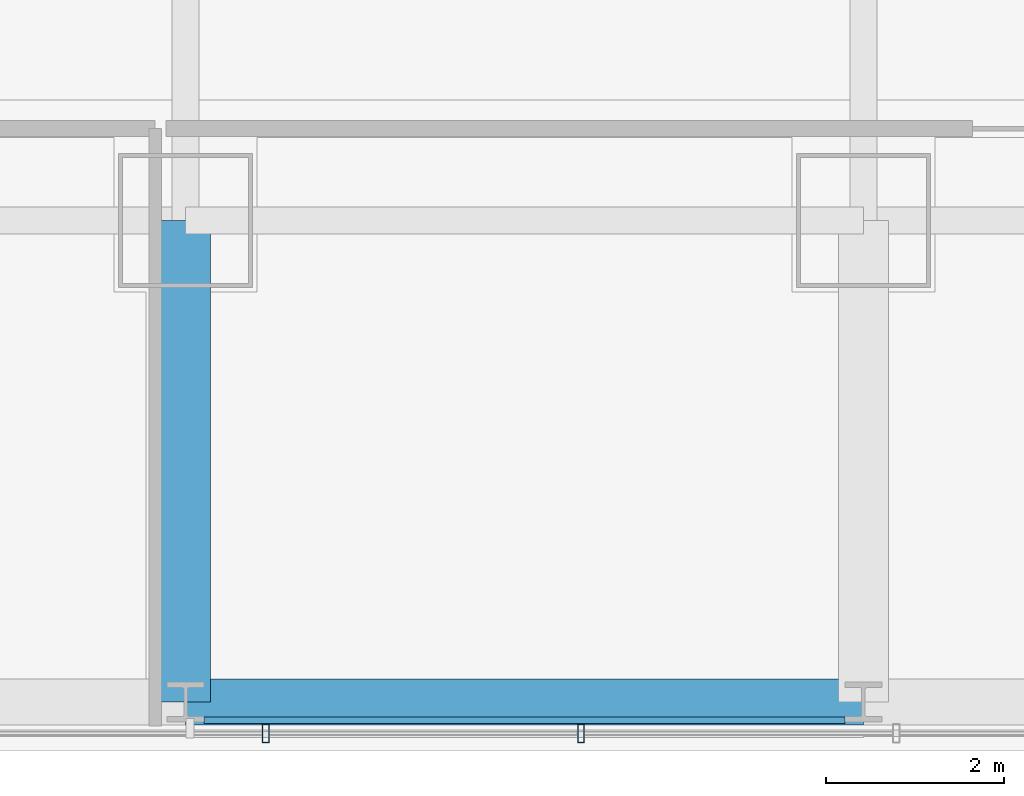
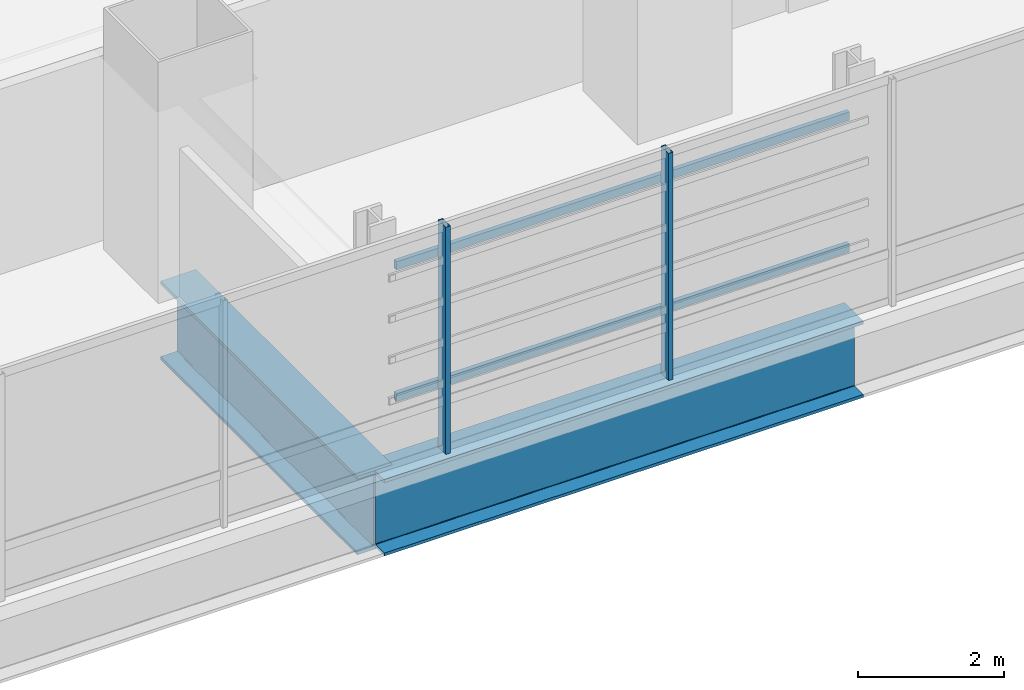
# One storey, part 4 of 35: 4 members, 2 beams, 1 element without a shape of its own.
"""IFC4 building model written with IfcOpenShell, lengths in metres."""

from ifc_helpers import new_model, si_unit, direction, frame, origin, origin_2d, place, context, subcontext, project, spatial, hollow_rectangle, i_section, extrude, material, material_profile, profile_set, type_object, element, aggregate, save


model = new_model("IFC4")

# Units and contexts
model_context = context("Model", 3, precision=1e-05, world=origin(), true_north=direction((0.0, 1.0)))
body_context = subcontext(model_context, "Body", "Model", "MODEL_VIEW")
ifc_project = project(units=[si_unit("LENGTHUNIT", "METRE"), si_unit("AREAUNIT", "SQUARE_METRE"), si_unit("VOLUMEUNIT", "CUBIC_METRE"), si_unit("PLANEANGLEUNIT", "RADIAN"), si_unit("MASSUNIT", "GRAM", prefix="KILO")], contexts=[model_context])

# Site, building, storey
site_placement = place(None, origin())
site = spatial("IfcSite", under=ifc_project, at=site_placement, CompositionType="ELEMENT")
building_placement = place(site_placement, origin())
building = spatial("IfcBuilding", under=site, at=building_placement, Name="Punatoya Terracotta Tower", CompositionType="ELEMENT")
storey_placement = place(building_placement, frame((0.0, 0.0, 64.64990234375)))
storey = spatial("IfcBuildingStorey", under=building, at=storey_placement, Name="L14", CompositionType="ELEMENT", Elevation=64.64990234375)

# Beams
ifc_material_1 = material(Name="Steel S460", Category="steel")
ifc_material_profile_1 = material_profile(ifc_material_1, i_section(OverallWidth=0.56005859375, OverallDepth=1.320068359375, WebThickness=0.035888671875, FlangeThickness=0.054931640625, FilletRadius=0.01806640625, at=origin_2d()))
ifc_profile_set_1 = profile_set([ifc_material_profile_1], Name="Steel S460")
beam_type_1 = type_object("IfcBeamType", Name="BM-TG-BLK", PredefinedType="BEAM", material=ifc_profile_set_1)
beam_1_placement = place(storey_placement, frame((-3.800048828125, -22.89990234375, -0.89990234375), z_axis=(0.0, 1.0, 0.0), x_axis=(-1.0, 0.0, 0.0)))
element("IfcBeam", 1, at=beam_1_placement, inside=storey, type_object=beam_type_1, Name="BM-L14-CANT-S2", PredefinedType="BEAM", context=body_context, shape_type="SweptSolid", body=[
    extrude(i_section(OverallWidth=0.56005859375, OverallDepth=1.320068359375, WebThickness=0.035888671875, FlangeThickness=0.054931640625, FilletRadius=0.01806640625, at=origin_2d()), origin(), (0.0, 0.0, 1.0), 5.39990234375),
])
ifc_material_profile_2 = material_profile(ifc_material_1, i_section(OverallWidth=0.52001953125, OverallDepth=1.280029296875, WebThickness=0.031982421875, FlangeThickness=0.050048828125, FilletRadius=0.01806640625, at=origin_2d()))
ifc_profile_set_2 = profile_set([ifc_material_profile_2], Name="Steel S460")
beam_type_2 = type_object("IfcBeamType", Name="BM-TG-NCK", PredefinedType="BEAM", material=ifc_profile_set_2)
beam_2_placement = place(storey_placement, frame((-3.800048828125, -22.89990234375, -0.8798828125), z_axis=(1.0, 0.0, 0.0), x_axis=(0.0, 1.0, 0.0)))
element("IfcBeam", 2, at=beam_2_placement, inside=storey, type_object=beam_type_2, Name="BM-L14-PER-S2", PredefinedType="BEAM", context=body_context, shape_type="SweptSolid", body=[
    extrude(i_section(OverallWidth=0.52001953125, OverallDepth=1.280029296875, WebThickness=0.031982421875, FlangeThickness=0.050048828125, FilletRadius=0.01806640625, at=origin_2d()), origin(), (0.0, 0.0, 1.0), 7.60009765625),
])

# Curtain wall, members
ifc_material_2 = material(Name="Aluminium 6063-T6 + Double Low-E Glass", Category="aluminium")
curtain_wall_type = type_object("IfcCurtainWallType", Name="CW-M1", PredefinedType="NOTDEFINED", material=ifc_material_2)
curtain_wall_placement = place(storey_placement, origin())
curtain_wall = element("IfcCurtainWall", 3, at=curtain_wall_placement, inside=storey, type_object=curtain_wall_type, Name="L14 Curtain Wall CW-L14-S01-1", PredefinedType="NOTDEFINED")
ifc_material_3 = material(Name="Aluminium 6063-T6", Category="aluminium")
ifc_material_profile_3 = material_profile(ifc_material_3, hollow_rectangle(XDim=0.074951171875, YDim=0.2099609375, WallThickness=0.00439453125, at=origin_2d()))
ifc_profile_set_3 = profile_set([ifc_material_profile_3], Name="Aluminium 6063-T6")
member_type_1 = type_object("IfcMemberType", Name="CW-MUL-M1", PredefinedType="MULLION", material=ifc_profile_set_3)
member_1_placement = place(storey_placement, frame((-2.90087890625, -23.25, 0.0), z_axis=(0.0, 0.0, 1.0), x_axis=(1.0, 0.0, 0.0)))
member_1 = element("IfcMember", 4, at=member_1_placement, type_object=member_type_1, Name="CW-L14-S01-1 Mullion 04", PredefinedType="MULLION", context=body_context, shape_type="SweptSolid", body=[
    extrude(hollow_rectangle(XDim=0.074951171875, YDim=0.2099609375, WallThickness=0.00439453125, at=origin_2d()), origin(), (0.0, 0.0, 1.0), 3.81005859375),
])
member_2_placement = place(storey_placement, frame((0.633056640625, -23.25, 0.0), z_axis=(0.0, 0.0, 1.0), x_axis=(1.0, 0.0, 0.0)))
member_2 = element("IfcMember", 5, at=member_2_placement, type_object=member_type_1, Name="CW-L14-S01-1 Mullion 05", PredefinedType="MULLION", context=body_context, shape_type="SweptSolid", body=[
    extrude(hollow_rectangle(XDim=0.074951171875, YDim=0.2099609375, WallThickness=0.00439453125, at=origin_2d()), origin(), (0.0, 0.0, 1.0), 3.81005859375),
])
aggregate(curtain_wall, [member_1, member_2])

# Members
ifc_material_4 = material(Name="Steel S355", Category="steel")
ifc_material_profile_4 = material_profile(ifc_material_4, hollow_rectangle(XDim=0.070068359375, YDim=0.139892578125, WallThickness=0.006103515625, at=origin_2d()))
ifc_profile_set_4 = profile_set([ifc_material_profile_4], Name="Steel S355")
member_type_2 = type_object("IfcMemberType", Name="MEM-BAG-RAIL", PredefinedType="USERDEFINED", material=ifc_profile_set_4)
for number, where, z_axis, x_axis, name in (
    (6, (-3.592529296875, -23.10498046875, 1.050048828125), (1.0, 0.0, 0.0), (0.0, 1.0, 0.0), "L14 Terracotta Baguette Carrier Rail BAG-L14-S-R1"),
    (7, (-3.592529296875, -23.10498046875, 3.260009765625), (1.0, 0.0, 0.0), (0.0, 1.0, 0.0), "L14 Terracotta Baguette Carrier Rail BAG-L14-S-R2"),
):
    element("IfcMember", number, at=place(storey_placement, frame(where, z_axis=z_axis, x_axis=x_axis)), inside=storey, type_object=member_type_2, Name=name, ObjectType="BAGUETTE", PredefinedType="USERDEFINED", context=body_context, shape_type="SweptSolid", body=[
        extrude(hollow_rectangle(XDim=0.070068359375, YDim=0.139892578125, WallThickness=0.006103515625, at=origin_2d()), origin(), (0.0, 0.0, 1.0), 7.18505859375),
    ])

save(model, "model.ifc")
